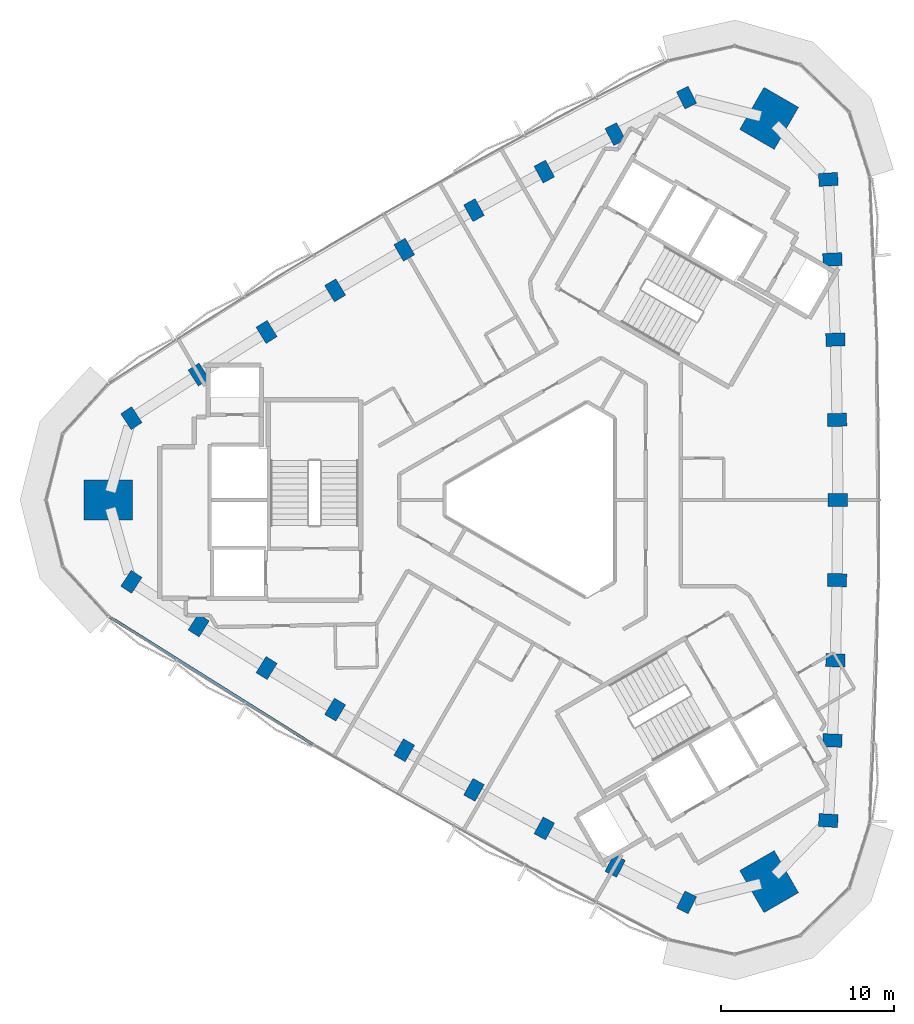
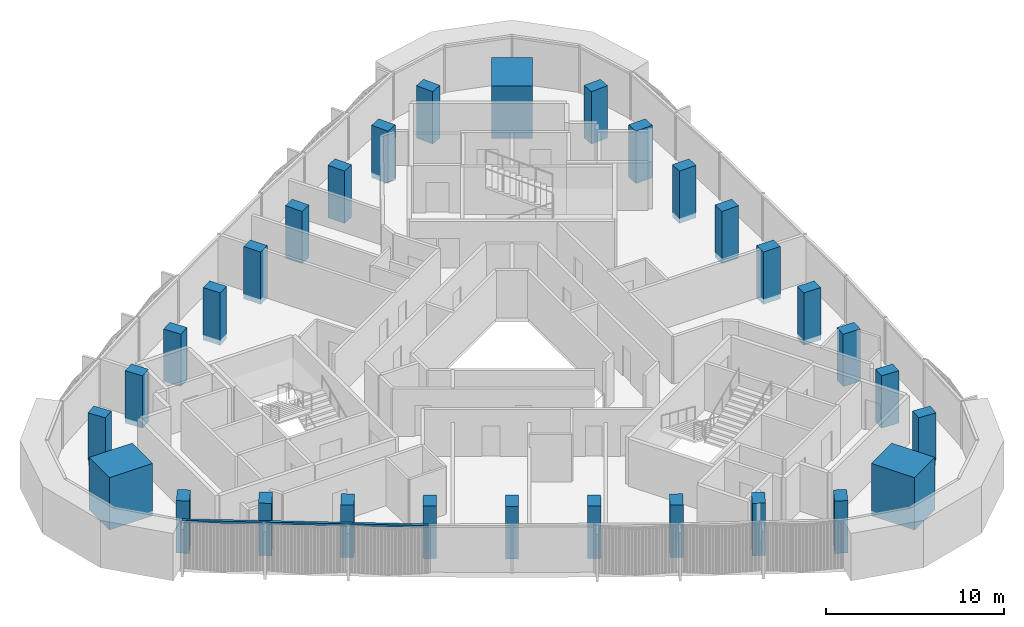
# One storey, part 1 of 16: 30 columns, 1 member, 1 element without a shape of its own.
"""IFC4 building model written with IfcOpenShell, lengths in metres."""

from ifc_helpers import new_model, si_unit, direction, frame, origin, origin_2d, place, context, subcontext, project, spatial, rectangle, extrude, material, material_profile, profile_set, type_object, element, aggregate, save


model = new_model("IFC4")

# Units and contexts
model_context = context("Model", 3, precision=1e-05, world=origin(), true_north=direction((0.0, 1.0)))
body_context = subcontext(model_context, "Body", "Model", "MODEL_VIEW")
ifc_project = project(units=[si_unit("LENGTHUNIT", "METRE"), si_unit("AREAUNIT", "SQUARE_METRE"), si_unit("VOLUMEUNIT", "CUBIC_METRE"), si_unit("PLANEANGLEUNIT", "RADIAN"), si_unit("MASSUNIT", "GRAM", prefix="KILO")], contexts=[model_context])

# Site, building, storey
site_placement = place(None, origin())
site = spatial("IfcSite", under=ifc_project, at=site_placement, CompositionType="ELEMENT")
building_placement = place(site_placement, origin())
building = spatial("IfcBuilding", under=site, at=building_placement, Name="Tamra Quay Hotel Tower", CompositionType="ELEMENT")
storey_placement = place(building_placement, frame((0.0, 0.0, 239.39990234375)))
storey = spatial("IfcBuildingStorey", under=building, at=storey_placement, Name="L60", CompositionType="ELEMENT", Elevation=239.39990234375)

# Columns
ifc_material_1 = material(Name="Concrete M70", Category="concrete")
ifc_material_profile_1 = material_profile(ifc_material_1, rectangle(XDim=1.10009765625, YDim=0.75, at=origin_2d()), Name="COLUMN RC 750x1100 Z5")
ifc_profile_set_1 = profile_set([ifc_material_profile_1], Name="Concrete M70")
column_type_1 = type_object("IfcColumnType", Name="COLUMN RC 750x1100 Z5", PredefinedType="COLUMN", material=ifc_profile_set_1)
for number, where, z_axis, x_axis, name in (
    (1, (16.12548828125, -18.490966796875, -0.349853515625), (0.0, 0.0, 1.0), (-0.998292120165, 0.05841954139, 0.0), "COL-C5E01-L60"),
    (2, (16.36328125, -13.87158203125, -0.349853515625), (0.0, 0.0, 1.0), (-0.999033395056, 0.043957656467, 0.0), "COL-C5E02-L60"),
    (3, (16.533203125, -9.24951171875, -0.349853515625), (0.0, 0.0, 1.0), (-0.999578606696, 0.029027728727, 0.0), "COL-C5E03-L60"),
    (4, (16.63525390625, -4.625, -0.349853515625), (0.0, 0.0, 1.0), (-0.999888113, 0.014958659101, 0.0), "COL-C5E04-L60"),
    (5, (16.66943359375, 0.0, -0.349853515625), (0.0, 0.0, 1.0), (1.0, 0.0, 0.0), "COL-C5E05-L60"),
    (6, (16.63525390625, 4.625, -0.349853515625), (0.0, 0.0, 1.0), (0.999888113, 0.014958659101, 0.0), "COL-C5E06-L60"),
    (7, (16.533203125, 9.24951171875, -0.349853515625), (0.0, 0.0, 1.0), (0.999578606696, 0.029027728727, 0.0), "COL-C5E07-L60"),
    (8, (16.36328125, 13.87158203125, -0.349853515625), (0.0, 0.0, 1.0), (0.999033395056, 0.043957656467, 0.0), "COL-C5E08-L60"),
    (9, (16.12548828125, 18.490966796875, -0.349853515625), (0.0, 0.0, 1.0), (0.998292120165, 0.05841954139, 0.0), "COL-C5E09-L60"),
    (10, (7.950927734375, 23.210693359375, -0.349853515625), (0.0, 0.0, 1.0), (-0.448553253162, 0.893756107156, 0.0), "COL-C5NW01-L60"),
    (11, (3.83154296875, 21.10693359375, -0.349853515625), (0.0, 0.0, 1.0), (-0.461448250337, 0.887167127581, 0.0), "COL-C5NW02-L60"),
    (12, (-0.25634765625, 18.943115234375, -0.349853515625), (0.0, 0.0, 1.0), (-0.474650552857, 0.880174330842, 0.0), "COL-C5NW03-L60"),
    (13, (-4.312255859375, 16.718994140625, -0.349853515625), (0.0, 0.0, 1.0), (-0.486989477712, 0.87340783635, 0.0), "COL-C5NW04-L60"),
    (14, (-8.334716796875, 14.43603515625, -0.349853515625), (0.0, 0.0, 1.0), (-0.5, 0.866025403784, 0.0), "COL-C5NW05-L60"),
    (15, (-12.322998046875, 12.093994140625, -0.349853515625), (0.0, 0.0, 1.0), (-0.512898635288, 0.858449177249, 0.0), "COL-C5NW06-L60"),
    (16, (-16.277099609375, 9.693359375, -0.349853515625), (0.0, 0.0, 1.0), (-0.52492805384, 0.851146602115, 0.0), "COL-C5NW07-L60"),
    (17, (-20.19482421875, 7.235107421875, -0.349853515625), (0.0, 0.0, 1.0), (-0.537585144719, 0.843209471114, 0.0), "COL-C5NW08-L60"),
    (18, (-24.076416015625, 4.7197265625, -0.349853515625), (0.0, 0.0, 1.0), (-0.549738867003, 0.835336565766, 0.0), "COL-C5NW09-L60"),
    (19, (-24.076416015625, -4.7197265625, -0.349853515625), (0.0, 0.0, 1.0), (0.549738867003, 0.835336565766, 0.0), "COL-C5SW01-L60"),
    (20, (-20.19482421875, -7.235107421875, -0.349853515625), (0.0, 0.0, 1.0), (0.537585144719, 0.843209471114, 0.0), "COL-C5SW02-L60"),
    (21, (-16.277099609375, -9.693359375, -0.349853515625), (0.0, 0.0, 1.0), (0.52492805384, 0.851146602115, 0.0), "COL-C5SW03-L60"),
    (22, (-12.322998046875, -12.093994140625, -0.349853515625), (0.0, 0.0, 1.0), (0.512898635288, 0.858449177249, 0.0), "COL-C5SW04-L60"),
    (23, (-8.334716796875, -14.43603515625, -0.349853515625), (0.0, 0.0, 1.0), (0.5, 0.866025403784, 0.0), "COL-C5SW05-L60"),
    (24, (-4.312255859375, -16.718994140625, -0.349853515625), (0.0, 0.0, 1.0), (0.486989477712, 0.87340783635, 0.0), "COL-C5SW06-L60"),
    (25, (-0.25634765625, -18.943115234375, -0.349853515625), (0.0, 0.0, 1.0), (0.474650552857, 0.880174330842, 0.0), "COL-C5SW07-L60"),
    (26, (3.83154296875, -21.10693359375, -0.349853515625), (0.0, 0.0, 1.0), (0.461448250337, 0.887167127581, 0.0), "COL-C5SW08-L60"),
    (27, (7.950927734375, -23.210693359375, -0.349853515625), (0.0, 0.0, 1.0), (0.448553253162, 0.893756107156, 0.0), "COL-C5SW09-L60"),
):
    element("IfcColumn", number, at=place(storey_placement, frame(where, z_axis=z_axis, x_axis=x_axis)), inside=storey, type_object=column_type_1, Name=name, PredefinedType="COLUMN", context=body_context, shape_type="SweptSolid", body=[
        extrude(rectangle(XDim=1.10009765625, YDim=0.75, at=origin_2d()), origin(), (0.0, 0.0, 1.0), 3.599853515625),
    ])
ifc_material_profile_2 = material_profile(ifc_material_1, rectangle(XDim=2.800048828125, YDim=2.300048828125, at=origin_2d()), Name="MEGA COLUMN RC 2300x2800 Z5")
ifc_profile_set_2 = profile_set([ifc_material_profile_2], Name="Concrete M70")
column_type_2 = type_object("IfcColumnType", Name="MEGA COLUMN RC 2300x2800 Z5", PredefinedType="COLUMN", material=ifc_profile_set_2)
for number, where, z_axis, x_axis, name in (
    (28, (12.710205078125, 22.0146484375, -0.349853515625), (0.0, 0.0, 1.0), (0.5, 0.866025403784, 0.0), "COL-M5NE-L60"),
    (29, (-25.42041015625, 0.0, -0.349853515625), (0.0, 0.0, 1.0), (1.0, 0.0, 0.0), "COL-M5W-L60"),
    (30, (12.710205078125, -22.0146484375, -0.349853515625), (0.0, 0.0, 1.0), (-0.5, 0.866025403784, 0.0), "COL-M5SE-L60"),
):
    element("IfcColumn", number, at=place(storey_placement, frame(where, z_axis=z_axis, x_axis=x_axis)), inside=storey, type_object=column_type_2, Name=name, PredefinedType="COLUMN", context=body_context, shape_type="SweptSolid", body=[
        extrude(rectangle(XDim=2.800048828125, YDim=2.300048828125, at=origin_2d()), origin(), (0.0, 0.0, 1.0), 3.599853515625),
    ])

# Curtain wall, member
ifc_material_2 = material(Name="Aluminium 6063 anodised dark grey", Category="aluminium")
curtain_wall_type = type_object("IfcCurtainWallType", Name="CW3 CURTAIN WALL", PredefinedType="NOTDEFINED", material=ifc_material_2)
curtain_wall_placement = place(storey_placement, origin())
curtain_wall = element("IfcCurtainWall", 31, at=curtain_wall_placement, inside=storey, type_object=curtain_wall_type, Name="CW3 south-west face L60", PredefinedType="NOTDEFINED")
ifc_material_profile_3 = material_profile(ifc_material_2, rectangle(XDim=0.169921875, YDim=0.139892578125, at=origin_2d()), Name="TRANSOM 170X140")
ifc_profile_set_3 = profile_set([ifc_material_profile_3], Name="Aluminium 6063 anodised dark grey")
member_type = type_object("IfcMemberType", Name="TRANSOM CW3 Z5", PredefinedType="USERDEFINED", material=ifc_profile_set_3)
member_placement = place(storey_placement, frame((-25.345947265625, -6.73974609375, 3.18017578125), z_axis=(0.847071037392, -0.531479686923, 0.0), x_axis=(0.531479686923, 0.847071037392, 0.0)))
member = element("IfcMember", 32, at=member_placement, type_object=member_type, Name="CW3 transom L60.SW.1", ObjectType="TRANSOM", PredefinedType="USERDEFINED", context=body_context, shape_type="SweptSolid", body=[
    extrude(rectangle(XDim=0.169921875, YDim=0.139892578125, at=origin_2d()), origin(), (0.0, 0.0, 1.0), 13.879150390625),
])
aggregate(curtain_wall, [member])

save(model, "model.ifc")
